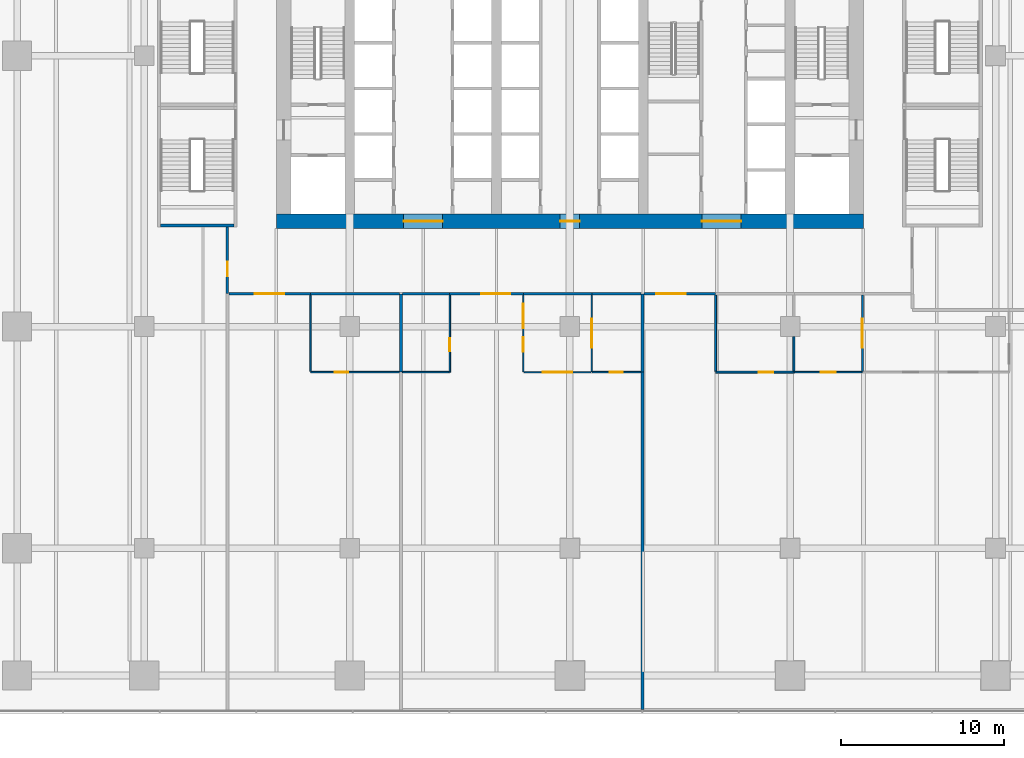
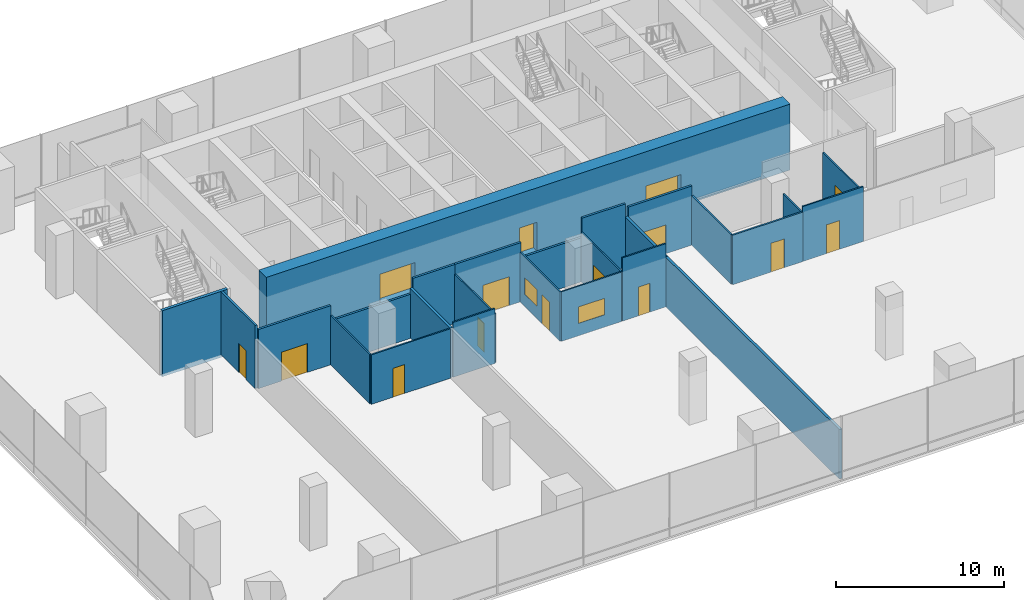
# One storey, part 19 of 29: 26 walls, 13 doors, 4 windows, 17 openings.
"""IFC4 building model written with IfcOpenShell, lengths in metres."""

from ifc_helpers import new_model, si_unit, direction, frame, frame_2d, origin, place, context, subcontext, project, spatial, rectangle, extrude, material, layer, layer_set, type_object, element, fill, save


model = new_model("IFC4")

# Units and contexts
model_context = context("Model", 3, precision=1e-05, world=origin(), true_north=direction((0.0, 1.0)))
body_context = subcontext(model_context, "Body", "Model", "MODEL_VIEW")
ifc_project = project(units=[si_unit("LENGTHUNIT", "METRE"), si_unit("AREAUNIT", "SQUARE_METRE"), si_unit("VOLUMEUNIT", "CUBIC_METRE"), si_unit("PLANEANGLEUNIT", "RADIAN"), si_unit("MASSUNIT", "GRAM", prefix="KILO")], contexts=[model_context])

# Site, building, storey
site_placement = place(None, origin())
site = spatial("IfcSite", under=ifc_project, at=site_placement, CompositionType="ELEMENT")
building_placement = place(site_placement, origin())
building = spatial("IfcBuilding", under=site, at=building_placement, Name="Rattan Terrace Tower", CompositionType="ELEMENT")
storey_placement = place(building_placement, frame((0.0, 0.0, 12.60009765625)))
storey = spatial("IfcBuildingStorey", under=building, at=storey_placement, Name="L02", CompositionType="ELEMENT", Elevation=12.60009765625)

# Wall, openings, doors
ifc_material_1 = material(Name="Concrete C70/85", Category="concrete")
ifc_layer_1 = layer(ifc_material_1, 0.89990234375)
ifc_layer_set_1 = layer_set([ifc_layer_1], Name="Core ring wall 900 C70/85")
wall_type_1 = type_object("IfcWallType", Name="Core ring wall 900 C70/85", PredefinedType="SHEAR", material=ifc_layer_set_1)
wall_1_placement = place(storey_placement, frame((-18.0, -7.050048828125, -0.2001953125), z_axis=(0.0, 0.0, 1.0), x_axis=(1.0, 0.0, 0.0)))
wall_1 = element("IfcWall", 1, at=wall_1_placement, inside=storey, type_object=wall_type_1, Name="Rear core wall south", PredefinedType="SHEAR", context=body_context, shape_type="SweptSolid", body=[
    extrude(rectangle(XDim=36.0, YDim=0.89990234375, at=frame_2d((18.0, 0.0))), origin(), (0.0, 0.0, 1.0), 4.800048828125),
])
opening_1_placement = place(wall_1_placement, frame((7.800048828125, 0.0, 0.199951171875)))
opening_1 = element("IfcOpeningElement", 2, at=opening_1_placement, cuts=wall_1, Name="Opening L02-D007", PredefinedType="OPENING", context=body_context, shape_type="SweptSolid", body=[
    extrude(rectangle(XDim=2.39990234375, YDim=2.10009765625, at=frame_2d((1.199951171875, 1.050048828125))), frame((0.0, 0.46044921875, 0.0), z_axis=(0.0, -1.0, 0.0), x_axis=(1.0, 0.0, 0.0)), (0.0, 0.0, 1.0), 0.9208984375),
])
opening_2_placement = place(wall_1_placement, frame((17.39990234375, 0.0, 0.199951171875)))
opening_2 = element("IfcOpeningElement", 3, at=opening_2_placement, cuts=wall_1, Name="Opening L02-D010", PredefinedType="OPENING", context=body_context, shape_type="SweptSolid", body=[
    extrude(rectangle(XDim=1.199951171875, YDim=2.10009765625, at=frame_2d((0.60009765625, 1.050048828125))), frame((0.0, 0.46044921875, 0.0), z_axis=(0.0, -1.0, 0.0), x_axis=(1.0, 0.0, 0.0)), (0.0, 0.0, 1.0), 0.9208984375),
])
opening_3_placement = place(wall_1_placement, frame((26.10009765625, 0.0, 0.199951171875)))
opening_3 = element("IfcOpeningElement", 4, at=opening_3_placement, cuts=wall_1, Name="Opening L02-D014", PredefinedType="OPENING", context=body_context, shape_type="SweptSolid", body=[
    extrude(rectangle(XDim=2.39990234375, YDim=2.10009765625, at=frame_2d((1.199951171875, 1.050048828125))), frame((0.0, 0.46044921875, 0.0), z_axis=(0.0, -1.0, 0.0), x_axis=(1.0, 0.0, 0.0)), (0.0, 0.0, 1.0), 0.9208984375),
])
ifc_material_2 = material(Name="Hollow-metal fire door leaf")
door_type_1 = type_object("IfcDoorType", Name="Core lift lobby door 2400", OperationType="NOTDEFINED", PredefinedType="DOOR", material=ifc_material_2)
door_1_placement = place(opening_1_placement, origin())
door_1 = element("IfcDoor", 5, at=door_1_placement, inside=storey, type_object=door_type_1, Name="Door L02-D007", OperationType="DOUBLE_DOOR_DOUBLE_SWING", OverallHeight=2.10009765625, OverallWidth=2.39990234375, PredefinedType="DOOR", context=body_context, shape_type="SweptSolid", body=[
    extrude(rectangle(XDim=2.39990234375, YDim=2.10009765625, at=frame_2d((1.199951171875, 1.050048828125))), frame((0.0, 0.02490234375, 0.0), z_axis=(0.0, -1.0, 0.0), x_axis=(1.0, 0.0, 0.0)), (0.0, 0.0, 1.0), 0.050048828125),
])
fill(opening_1, door_1)
door_2_placement = place(opening_3_placement, origin())
door_2 = element("IfcDoor", 6, at=door_2_placement, inside=storey, type_object=door_type_1, Name="Door L02-D014", OperationType="DOUBLE_DOOR_DOUBLE_SWING", OverallHeight=2.10009765625, OverallWidth=2.39990234375, PredefinedType="DOOR", context=body_context, shape_type="SweptSolid", body=[
    extrude(rectangle(XDim=2.39990234375, YDim=2.10009765625, at=frame_2d((1.199951171875, 1.050048828125))), frame((0.0, 0.02490234375, 0.0), z_axis=(0.0, -1.0, 0.0), x_axis=(1.0, 0.0, 0.0)), (0.0, 0.0, 1.0), 0.050048828125),
])
fill(opening_3, door_2)
ifc_material_3 = material(Name="Hollow-metal fire door leaf")
door_type_2 = type_object("IfcDoorType", Name="Core riser door 1200", OperationType="NOTDEFINED", PredefinedType="DOOR", material=ifc_material_3)
door_3_placement = place(opening_2_placement, origin())
door_3 = element("IfcDoor", 7, at=door_3_placement, inside=storey, type_object=door_type_2, Name="Door L02-D010", OperationType="SINGLE_SWING_LEFT", OverallHeight=2.10009765625, OverallWidth=1.199951171875, PredefinedType="DOOR", context=body_context, shape_type="SweptSolid", body=[
    extrude(rectangle(XDim=1.199951171875, YDim=2.10009765625, at=frame_2d((0.60009765625, 1.050048828125))), frame((0.0, 0.02490234375, 0.0), z_axis=(0.0, -1.0, 0.0), x_axis=(1.0, 0.0, 0.0)), (0.0, 0.0, 1.0), 0.050048828125),
])
fill(opening_2, door_3)

# Walls
ifc_material_4 = material(Name="Double steel stud acoustic partition, gypsum board, mineral wool, fire rated", Category="steel")
ifc_layer_2 = layer(ifc_material_4, 0.179931640625)
ifc_layer_set_2 = layer_set([ifc_layer_2], Name="Floors Acoustic Party Wall 180")
wall_type_2 = type_object("IfcWallType", Name="Floors Acoustic Party Wall 180", PredefinedType="PARTITIONING", material=ifc_layer_set_2)
wall_2_placement = place(storey_placement, frame((-10.360107421875, -11.5, 0.0), z_axis=(0.0, 0.0, 1.0), x_axis=(0.0, -1.0, 0.0)))
element("IfcWall", 8, at=wall_2_placement, inside=storey, type_object=wall_type_2, Name="pt-L02-021", PredefinedType="PARTITIONING", context=body_context, shape_type="SweptSolid", body=[
    extrude(rectangle(XDim=4.800048828125, YDim=0.179931640625, at=frame_2d((2.39990234375, 0.0))), origin(), (0.0, 0.0, 1.0), 3.599853515625),
])
wall_3_placement = place(storey_placement, frame((4.43994140625, -16.300048828125, 0.0), z_axis=(0.0, 0.0, 1.0), x_axis=(0.0, -1.0, 0.0)))
element("IfcWall", 9, at=wall_3_placement, inside=storey, type_object=wall_type_2, Name="pt-L02-027", PredefinedType="PARTITIONING", context=body_context, shape_type="SweptSolid", body=[
    extrude(rectangle(XDim=20.68994140625, YDim=0.179931640625, at=frame_2d((10.344970703125, 0.0))), origin(), (0.0, 0.0, 1.0), 3.599853515625),
])
wall_4_placement = place(storey_placement, frame((4.43994140625, -11.5, 0.0), z_axis=(0.0, 0.0, 1.0), x_axis=(0.0, -1.0, 0.0)))
element("IfcWall", 10, at=wall_4_placement, inside=storey, type_object=wall_type_2, Name="pt-L02-029", PredefinedType="PARTITIONING", context=body_context, shape_type="SweptSolid", body=[
    extrude(rectangle(XDim=4.800048828125, YDim=0.179931640625, at=frame_2d((2.39990234375, 0.0))), origin(), (0.0, 0.0, 1.0), 3.599853515625),
])
ifc_material_5 = material(Name="Gypsum board partition on steel studs", Category="steel")
ifc_layer_3 = layer(ifc_material_5, 0.10009765625)
ifc_layer_set_3 = layer_set([ifc_layer_3], Name="Floors Partition 100")
wall_type_3 = type_object("IfcWallType", Name="Floors Partition 100", PredefinedType="PARTITIONING", material=ifc_layer_set_3)
wall_5_placement = place(storey_placement, frame((-15.89990234375, -11.574951171875, 0.0), z_axis=(0.0, 0.0, 1.0), x_axis=(0.0, -1.0, 0.0)))
element("IfcWall", 11, at=wall_5_placement, inside=storey, type_object=wall_type_3, Name="pt-L02-018", PredefinedType="PARTITIONING", context=body_context, shape_type="SweptSolid", body=[
    extrude(rectangle(XDim=4.675048828125, YDim=0.10009765625, at=frame_2d((2.33740234375, 0.0))), origin(), (0.0, 0.0, 1.0), 3.599853515625),
])

# Wall, opening, door
wall_6_placement = place(storey_placement, frame((-15.89990234375, -16.300048828125, 0.0), z_axis=(0.0, 0.0, 1.0), x_axis=(1.0, 0.0, 0.0)))
wall_6 = element("IfcWall", 12, at=wall_6_placement, inside=storey, type_object=wall_type_3, Name="pt-L02-019", PredefinedType="PARTITIONING", context=body_context, shape_type="SweptSolid", body=[
    extrude(rectangle(XDim=5.449951171875, YDim=0.10009765625, at=frame_2d((2.72509765625, 0.0))), origin(), (0.0, 0.0, 1.0), 3.599853515625),
])
opening_4_placement = place(wall_6_placement, frame((1.4951171875, 0.0, 0.0)))
opening_4 = element("IfcOpeningElement", 13, at=opening_4_placement, cuts=wall_6, Name="Opening L02-D102", PredefinedType="OPENING", context=body_context, shape_type="SweptSolid", body=[
    extrude(rectangle(XDim=0.800048828125, YDim=2.10009765625, at=frame_2d((0.39990234375, 1.050048828125))), frame((0.0, 0.060546875, 0.0), z_axis=(0.0, -1.0, 0.0), x_axis=(1.0, 0.0, 0.0)), (0.0, 0.0, 1.0), 0.12109375),
])
ifc_material_6 = material(Name="Solid core timber door, painted", Category="wood")
door_type_3 = type_object("IfcDoorType", Name="Floors Store Door 800x2100", OperationType="NOTDEFINED", PredefinedType="DOOR", material=ifc_material_6)
door_4_placement = place(opening_4_placement, origin())
door_4 = element("IfcDoor", 14, at=door_4_placement, inside=storey, type_object=door_type_3, Name="d-L02-102", OperationType="SINGLE_SWING_LEFT", OverallHeight=2.10009765625, OverallWidth=0.800048828125, PredefinedType="DOOR", context=body_context, shape_type="SweptSolid", body=[
    extrude(rectangle(XDim=0.800048828125, YDim=2.10009765625, at=frame_2d((0.39990234375, 1.050048828125))), frame((0.0, 0.02490234375, 0.0), z_axis=(0.0, -1.0, 0.0), x_axis=(1.0, 0.0, 0.0)), (0.0, 0.0, 1.0), 0.050048828125),
])
fill(opening_4, door_4)

# Wall
wall_7_placement = place(storey_placement, frame((-10.27001953125, -16.300048828125, 0.0), z_axis=(0.0, 0.0, 1.0), x_axis=(1.0, 0.0, 0.0)))
element("IfcWall", 15, at=wall_7_placement, inside=storey, type_object=wall_type_3, Name="pt-L02-022", PredefinedType="PARTITIONING", context=body_context, shape_type="SweptSolid", body=[
    extrude(rectangle(XDim=2.860107421875, YDim=0.10009765625, at=frame_2d((1.43017578125, 0.0))), origin(), (0.0, 0.0, 1.0), 3.989990234375),
])

# Wall, opening, door
wall_8_placement = place(storey_placement, frame((-7.360107421875, -16.300048828125, 0.0), z_axis=(0.0, 0.0, 1.0), x_axis=(0.0, 1.0, 0.0)))
wall_8 = element("IfcWall", 16, at=wall_8_placement, inside=storey, type_object=wall_type_3, Name="pt-L02-023", PredefinedType="PARTITIONING", context=body_context, shape_type="SweptSolid", body=[
    extrude(rectangle(XDim=4.72509765625, YDim=0.10009765625, at=frame_2d((2.362548828125, 0.0))), origin(), (0.0, 0.0, 1.0), 3.599853515625),
])
opening_5_placement = place(wall_8_placement, frame((1.278076171875, 0.0, 0.0)))
opening_5 = element("IfcOpeningElement", 17, at=opening_5_placement, cuts=wall_8, Name="Opening L02-D104", PredefinedType="OPENING", context=body_context, shape_type="SweptSolid", body=[
    extrude(rectangle(XDim=0.800048828125, YDim=2.10009765625, at=frame_2d((0.39990234375, 1.050048828125))), frame((0.0, 0.060546875, 0.0), z_axis=(0.0, -1.0, 0.0), x_axis=(1.0, 0.0, 0.0)), (0.0, 0.0, 1.0), 0.12109375),
])
door_5_placement = place(opening_5_placement, origin())
door_5 = element("IfcDoor", 18, at=door_5_placement, inside=storey, type_object=door_type_3, Name="d-L02-104", OperationType="SINGLE_SWING_LEFT", OverallHeight=2.10009765625, OverallWidth=0.800048828125, PredefinedType="DOOR", context=body_context, shape_type="SweptSolid", body=[
    extrude(rectangle(XDim=0.800048828125, YDim=2.10009765625, at=frame_2d((0.39990234375, 1.050048828125))), frame((0.0, 0.02490234375, 0.0), z_axis=(0.0, -1.0, 0.0), x_axis=(1.0, 0.0, 0.0)), (0.0, 0.0, 1.0), 0.050048828125),
])
fill(opening_5, door_5)

# Wall, openings, door, window
wall_9_placement = place(storey_placement, frame((-2.860107421875, -11.574951171875, 0.0), z_axis=(0.0, 0.0, 1.0), x_axis=(0.0, -1.0, 0.0)))
wall_9 = element("IfcWall", 19, at=wall_9_placement, inside=storey, type_object=wall_type_3, Name="pt-L02-024", PredefinedType="PARTITIONING", context=body_context, shape_type="SweptSolid", body=[
    extrude(rectangle(XDim=4.72509765625, YDim=0.10009765625, at=frame_2d((2.362548828125, 0.0))), origin(), (0.0, 0.0, 1.0), 3.599853515625),
])
opening_6_placement = place(wall_9_placement, frame((2.577880859375, 0.0, 0.0)))
opening_6 = element("IfcOpeningElement", 20, at=opening_6_placement, cuts=wall_9, Name="Opening L02-D105", PredefinedType="OPENING", context=body_context, shape_type="SweptSolid", body=[
    extrude(rectangle(XDim=0.89990234375, YDim=2.10009765625, at=frame_2d((0.449951171875, 1.050048828125))), frame((0.0, 0.060546875, 0.0), z_axis=(0.0, -1.0, 0.0), x_axis=(1.0, 0.0, 0.0)), (0.0, 0.0, 1.0), 0.12109375),
])
opening_7_placement = place(wall_9_placement, frame((0.5390625, 0.0, 0.89990234375)))
opening_7 = element("IfcOpeningElement", 21, at=opening_7_placement, cuts=wall_9, Name="Opening L02-W100", PredefinedType="OPENING", context=body_context, shape_type="SweptSolid", body=[
    extrude(rectangle(XDim=1.5, YDim=1.199951171875, at=frame_2d((0.75, 0.60009765625))), frame((0.0, 0.060546875, 0.0), z_axis=(0.0, -1.0, 0.0), x_axis=(1.0, 0.0, 0.0)), (0.0, 0.0, 1.0), 0.12109375),
])
ifc_material_7 = material(Name="Solid core timber door, painted", Category="wood")
door_type_4 = type_object("IfcDoorType", Name="Floors Door 900x2100", OperationType="NOTDEFINED", PredefinedType="DOOR", material=ifc_material_7)
door_6_placement = place(opening_6_placement, origin())
door_6 = element("IfcDoor", 22, at=door_6_placement, inside=storey, type_object=door_type_4, Name="d-L02-105", OperationType="SINGLE_SWING_RIGHT", OverallHeight=2.10009765625, OverallWidth=0.89990234375, PredefinedType="DOOR", context=body_context, shape_type="SweptSolid", body=[
    extrude(rectangle(XDim=0.89990234375, YDim=2.10009765625, at=frame_2d((0.449951171875, 1.050048828125))), frame((0.0, 0.02490234375, 0.0), z_axis=(0.0, -1.0, 0.0), x_axis=(1.0, 0.0, 0.0)), (0.0, 0.0, 1.0), 0.050048828125),
])
fill(opening_6, door_6)
ifc_material_8 = material(Name="Glass, clear, fixed in aluminium frame", Category="aluminium")
window_type_1 = type_object("IfcWindowType", Name="Interior Vision Window 1500x1200", PartitioningType="SINGLE_PANEL", PredefinedType="WINDOW", material=ifc_material_8)
window_1_placement = place(opening_7_placement, origin())
window_1 = element("IfcWindow", 23, at=window_1_placement, inside=storey, type_object=window_type_1, Name="w-L02-100", OverallHeight=1.199951171875, OverallWidth=1.5, PartitioningType="SINGLE_PANEL", PredefinedType="WINDOW", context=body_context, shape_type="SweptSolid", body=[
    extrude(rectangle(XDim=1.5, YDim=1.199951171875, at=frame_2d((0.75, 0.60009765625))), frame((0.0, 0.030029296875, 0.0), z_axis=(0.0, -1.0, 0.0), x_axis=(1.0, 0.0, 0.0)), (0.0, 0.0, 1.0), 0.06005859375),
])
fill(opening_7, window_1)

# Wall, opening, window
wall_10_placement = place(storey_placement, frame((-2.81005859375, -16.300048828125, 0.0), z_axis=(0.0, 0.0, 1.0), x_axis=(1.0, 0.0, 0.0)))
wall_10 = element("IfcWall", 24, at=wall_10_placement, inside=storey, type_object=wall_type_3, Name="pt-L02-025", PredefinedType="PARTITIONING", context=body_context, shape_type="SweptSolid", body=[
    extrude(rectangle(XDim=4.10009765625, YDim=0.10009765625, at=frame_2d((2.050048828125, 0.0))), origin(), (0.0, 0.0, 1.0), 3.599853515625),
])
opening_8_placement = place(wall_10_placement, frame((1.14990234375, 0.0, 0.89990234375)))
opening_8 = element("IfcOpeningElement", 25, at=opening_8_placement, cuts=wall_10, Name="Opening L02-W101", PredefinedType="OPENING", context=body_context, shape_type="SweptSolid", body=[
    extrude(rectangle(XDim=1.800048828125, YDim=1.199951171875, at=frame_2d((0.89990234375, 0.60009765625))), frame((0.0, 0.060546875, 0.0), z_axis=(0.0, -1.0, 0.0), x_axis=(1.0, 0.0, 0.0)), (0.0, 0.0, 1.0), 0.12109375),
])
ifc_material_9 = material(Name="Glass, clear, fixed in aluminium frame", Category="aluminium")
window_type_2 = type_object("IfcWindowType", Name="Interior Vision Window 1800x1200", PartitioningType="SINGLE_PANEL", PredefinedType="WINDOW", material=ifc_material_9)
window_2_placement = place(opening_8_placement, origin())
window_2 = element("IfcWindow", 26, at=window_2_placement, inside=storey, type_object=window_type_2, Name="w-L02-101", OverallHeight=1.199951171875, OverallWidth=1.800048828125, PartitioningType="SINGLE_PANEL", PredefinedType="WINDOW", context=body_context, shape_type="SweptSolid", body=[
    extrude(rectangle(XDim=1.800048828125, YDim=1.199951171875, at=frame_2d((0.89990234375, 0.60009765625))), frame((0.0, 0.030029296875, 0.0), z_axis=(0.0, -1.0, 0.0), x_axis=(1.0, 0.0, 0.0)), (0.0, 0.0, 1.0), 0.06005859375),
])
fill(opening_8, window_2)

# Wall, opening, door
wall_11_placement = place(storey_placement, frame((1.360107421875, -16.300048828125, 0.0), z_axis=(0.0, 0.0, 1.0), x_axis=(1.0, 0.0, 0.0)))
wall_11 = element("IfcWall", 27, at=wall_11_placement, inside=storey, type_object=wall_type_3, Name="pt-L02-026", PredefinedType="PARTITIONING", context=body_context, shape_type="SweptSolid", body=[
    extrude(rectangle(XDim=2.989990234375, YDim=0.10009765625, at=frame_2d((1.4951171875, 0.0))), origin(), (0.0, 0.0, 1.0), 4.599853515625),
])
opening_9_placement = place(wall_11_placement, frame((1.094970703125, 0.0, 0.0)))
opening_9 = element("IfcOpeningElement", 28, at=opening_9_placement, cuts=wall_11, Name="Opening L02-D106", PredefinedType="OPENING", context=body_context, shape_type="SweptSolid", body=[
    extrude(rectangle(XDim=0.800048828125, YDim=2.10009765625, at=frame_2d((0.39990234375, 1.050048828125))), frame((0.0, 0.060546875, 0.0), z_axis=(0.0, -1.0, 0.0), x_axis=(1.0, 0.0, 0.0)), (0.0, 0.0, 1.0), 0.12109375),
])
door_7_placement = place(opening_9_placement, origin())
door_7 = element("IfcDoor", 29, at=door_7_placement, inside=storey, type_object=door_type_3, Name="d-L02-106", OperationType="SINGLE_SWING_LEFT", OverallHeight=2.10009765625, OverallWidth=0.800048828125, PredefinedType="DOOR", context=body_context, shape_type="SweptSolid", body=[
    extrude(rectangle(XDim=0.800048828125, YDim=2.10009765625, at=frame_2d((0.39990234375, 1.050048828125))), frame((0.0, 0.02490234375, 0.0), z_axis=(0.0, -1.0, 0.0), x_axis=(1.0, 0.0, 0.0)), (0.0, 0.0, 1.0), 0.050048828125),
])
fill(opening_9, door_7)

# Wall, opening, window
wall_12_placement = place(storey_placement, frame((1.340087890625, -11.574951171875, 0.0), z_axis=(0.0, 0.0, 1.0), x_axis=(0.0, -1.0, 0.0)))
wall_12 = element("IfcWall", 30, at=wall_12_placement, inside=storey, type_object=wall_type_3, Name="pt-L02-028", PredefinedType="PARTITIONING", context=body_context, shape_type="SweptSolid", body=[
    extrude(rectangle(XDim=4.72509765625, YDim=0.10009765625, at=frame_2d((2.362548828125, 0.0))), origin(), (0.0, 0.0, 1.0), 3.599853515625),
])
opening_10_placement = place(wall_12_placement, frame((1.43798828125, 0.0, 0.89990234375)))
opening_10 = element("IfcOpeningElement", 31, at=opening_10_placement, cuts=wall_12, Name="Opening L02-W102", PredefinedType="OPENING", context=body_context, shape_type="SweptSolid", body=[
    extrude(rectangle(XDim=1.800048828125, YDim=1.199951171875, at=frame_2d((0.89990234375, 0.60009765625))), frame((0.0, 0.060546875, 0.0), z_axis=(0.0, -1.0, 0.0), x_axis=(1.0, 0.0, 0.0)), (0.0, 0.0, 1.0), 0.12109375),
])
window_3_placement = place(opening_10_placement, origin())
window_3 = element("IfcWindow", 32, at=window_3_placement, inside=storey, type_object=window_type_2, Name="w-L02-102", OverallHeight=1.199951171875, OverallWidth=1.800048828125, PartitioningType="SINGLE_PANEL", PredefinedType="WINDOW", context=body_context, shape_type="SweptSolid", body=[
    extrude(rectangle(XDim=1.800048828125, YDim=1.199951171875, at=frame_2d((0.89990234375, 0.60009765625))), frame((0.0, 0.030029296875, 0.0), z_axis=(0.0, -1.0, 0.0), x_axis=(1.0, 0.0, 0.0)), (0.0, 0.0, 1.0), 0.06005859375),
])
fill(opening_10, window_3)

# Wall, opening, door
wall_13_placement = place(storey_placement, frame((13.760009765625, -16.300048828125, 0.0), z_axis=(0.0, 0.0, 1.0), x_axis=(1.0, 0.0, 0.0)))
wall_13 = element("IfcWall", 33, at=wall_13_placement, inside=storey, type_object=wall_type_3, Name="pt-L02-032", PredefinedType="PARTITIONING", context=body_context, shape_type="SweptSolid", body=[
    extrude(rectangle(XDim=4.159912109375, YDim=0.10009765625, at=frame_2d((2.080078125, 0.0))), origin(), (0.0, 0.0, 1.0), 3.989990234375),
])
opening_11_placement = place(wall_13_placement, frame((1.6298828125, 0.0, 0.0)))
opening_11 = element("IfcOpeningElement", 34, at=opening_11_placement, cuts=wall_13, Name="Opening L02-D109", PredefinedType="OPENING", context=body_context, shape_type="SweptSolid", body=[
    extrude(rectangle(XDim=0.89990234375, YDim=2.10009765625, at=frame_2d((0.449951171875, 1.050048828125))), frame((0.0, 0.060546875, 0.0), z_axis=(0.0, -1.0, 0.0), x_axis=(1.0, 0.0, 0.0)), (0.0, 0.0, 1.0), 0.12109375),
])
door_8_placement = place(opening_11_placement, origin())
door_8 = element("IfcDoor", 35, at=door_8_placement, inside=storey, type_object=door_type_4, Name="d-L02-109", OperationType="SINGLE_SWING_RIGHT", OverallHeight=2.10009765625, OverallWidth=0.89990234375, PredefinedType="DOOR", context=body_context, shape_type="SweptSolid", body=[
    extrude(rectangle(XDim=0.89990234375, YDim=2.10009765625, at=frame_2d((0.449951171875, 1.050048828125))), frame((0.0, 0.02490234375, 0.0), z_axis=(0.0, -1.0, 0.0), x_axis=(1.0, 0.0, 0.0)), (0.0, 0.0, 1.0), 0.050048828125),
])
fill(opening_11, door_8)

# Wall, opening, window
wall_14_placement = place(storey_placement, frame((17.93994140625, -11.574951171875, 0.0), z_axis=(0.0, 0.0, 1.0), x_axis=(0.0, -1.0, 0.0)))
wall_14 = element("IfcWall", 36, at=wall_14_placement, inside=storey, type_object=wall_type_3, Name="pt-L02-038", PredefinedType="PARTITIONING", context=body_context, shape_type="SweptSolid", body=[
    extrude(rectangle(XDim=4.675048828125, YDim=0.10009765625, at=frame_2d((2.33740234375, 0.0))), origin(), (0.0, 0.0, 1.0), 3.599853515625),
])
opening_12_placement = place(wall_14_placement, frame((1.43798828125, 0.0, 0.89990234375)))
opening_12 = element("IfcOpeningElement", 37, at=opening_12_placement, cuts=wall_14, Name="Opening L02-W105", PredefinedType="OPENING", context=body_context, shape_type="SweptSolid", body=[
    extrude(rectangle(XDim=1.800048828125, YDim=1.199951171875, at=frame_2d((0.89990234375, 0.60009765625))), frame((0.0, 0.060546875, 0.0), z_axis=(0.0, -1.0, 0.0), x_axis=(1.0, 0.0, 0.0)), (0.0, 0.0, 1.0), 0.12109375),
])
window_4_placement = place(opening_12_placement, origin())
window_4 = element("IfcWindow", 38, at=window_4_placement, inside=storey, type_object=window_type_2, Name="w-L02-105", OverallHeight=1.199951171875, OverallWidth=1.800048828125, PartitioningType="SINGLE_PANEL", PredefinedType="WINDOW", context=body_context, shape_type="SweptSolid", body=[
    extrude(rectangle(XDim=1.800048828125, YDim=1.199951171875, at=frame_2d((0.89990234375, 0.60009765625))), frame((0.0, 0.030029296875, 0.0), z_axis=(0.0, -1.0, 0.0), x_axis=(1.0, 0.0, 0.0)), (0.0, 0.0, 1.0), 0.06005859375),
])
fill(opening_12, window_4)

# Wall, opening, door
ifc_material_10 = material(Name="Gypsum board partition on steel studs, fire rated", Category="steel")
ifc_layer_4 = layer(ifc_material_10, 0.14990234375)
ifc_layer_set_4 = layer_set([ifc_layer_4], Name="Floors Tenancy Wall 150")
wall_type_4 = type_object("IfcWallType", Name="Floors Tenancy Wall 150", PredefinedType="PARTITIONING", material=ifc_layer_set_4)
wall_15_placement = place(storey_placement, frame((-21.0, -11.47998046875, 0.0), z_axis=(0.0, 0.0, 1.0), x_axis=(0.0, 1.0, 0.0)))
wall_15 = element("IfcWall", 39, at=wall_15_placement, inside=storey, type_object=wall_type_4, Name="pt-L02-001", PredefinedType="PARTITIONING", context=body_context, shape_type="SweptSolid", body=[
    extrude(rectangle(XDim=4.080078125, YDim=0.14990234375, at=frame_2d((2.0400390625, 0.0))), origin(), (0.0, 0.0, 1.0), 4.599853515625),
])
opening_13_placement = place(wall_15_placement, frame((1.053955078125, 0.0, 0.0)))
opening_13 = element("IfcOpeningElement", 40, at=opening_13_placement, cuts=wall_15, Name="Opening L02-D100", PredefinedType="OPENING", context=body_context, shape_type="SweptSolid", body=[
    extrude(rectangle(XDim=0.89990234375, YDim=2.10009765625, at=frame_2d((0.449951171875, 1.050048828125))), frame((0.0, 0.08544921875, 0.0), z_axis=(0.0, -1.0, 0.0), x_axis=(1.0, 0.0, 0.0)), (0.0, 0.0, 1.0), 0.1708984375),
])
ifc_material_11 = material(Name="Steel fire door set", Category="steel")
door_type_5 = type_object("IfcDoorType", Name="Floors Fire Door FD30S 900x2100", OperationType="NOTDEFINED", PredefinedType="DOOR", material=ifc_material_11)
door_9_placement = place(opening_13_placement, origin())
door_9 = element("IfcDoor", 41, at=door_9_placement, inside=storey, type_object=door_type_5, Name="d-L02-100", OperationType="SINGLE_SWING_LEFT", OverallHeight=2.10009765625, OverallWidth=0.89990234375, PredefinedType="DOOR", context=body_context, shape_type="SweptSolid", body=[
    extrude(rectangle(XDim=0.89990234375, YDim=2.10009765625, at=frame_2d((0.449951171875, 1.050048828125))), frame((0.0, 0.02490234375, 0.0), z_axis=(0.0, -1.0, 0.0), x_axis=(1.0, 0.0, 0.0)), (0.0, 0.0, 1.0), 0.050048828125),
])
fill(opening_13, door_9)

wall_16_placement = place(storey_placement, frame((-15.919921875, -11.5, 0.0), z_axis=(0.0, 0.0, 1.0), x_axis=(-1.0, 0.0, 0.0)))
wall_16 = element("IfcWall", 42, at=wall_16_placement, inside=storey, type_object=wall_type_4, Name="pt-L02-002", PredefinedType="PARTITIONING", context=body_context, shape_type="SweptSolid", body=[
    extrude(rectangle(XDim=4.989990234375, YDim=0.14990234375, at=frame_2d((2.4951171875, 0.0))), origin(), (0.0, 0.0, 1.0), 4.2998046875),
])
opening_14_placement = place(wall_16_placement, frame((1.594970703125, 0.0, 0.0)))
opening_14 = element("IfcOpeningElement", 43, at=opening_14_placement, cuts=wall_16, Name="Opening L02-D101", PredefinedType="OPENING", context=body_context, shape_type="SweptSolid", body=[
    extrude(rectangle(XDim=1.800048828125, YDim=2.10009765625, at=frame_2d((0.89990234375, 1.050048828125))), frame((0.0, 0.08544921875, 0.0), z_axis=(0.0, -1.0, 0.0), x_axis=(1.0, 0.0, 0.0)), (0.0, 0.0, 1.0), 0.1708984375),
])
ifc_material_12 = material(Name="Steel fire door set", Category="steel")
door_type_6 = type_object("IfcDoorType", Name="Floors Fire Door Pair FD30S 1800x2100", OperationType="NOTDEFINED", PredefinedType="DOOR", material=ifc_material_12)
door_10_placement = place(opening_14_placement, origin())
door_10 = element("IfcDoor", 44, at=door_10_placement, inside=storey, type_object=door_type_6, Name="d-L02-101", OperationType="DOUBLE_DOOR_SINGLE_SWING", OverallHeight=2.10009765625, OverallWidth=1.800048828125, PredefinedType="DOOR", context=body_context, shape_type="SweptSolid", body=[
    extrude(rectangle(XDim=1.800048828125, YDim=2.10009765625, at=frame_2d((0.89990234375, 1.050048828125))), frame((0.0, 0.02490234375, 0.0), z_axis=(0.0, -1.0, 0.0), x_axis=(1.0, 0.0, 0.0)), (0.0, 0.0, 1.0), 0.050048828125),
])
fill(opening_14, door_10)

# Wall
wall_17_placement = place(storey_placement, frame((-10.449951171875, -11.5, 0.0), z_axis=(0.0, 0.0, 1.0), x_axis=(-1.0, 0.0, 0.0)))
element("IfcWall", 45, at=wall_17_placement, inside=storey, type_object=wall_type_4, Name="pt-L02-003", PredefinedType="PARTITIONING", context=body_context, shape_type="SweptSolid", body=[
    extrude(rectangle(XDim=5.469970703125, YDim=0.14990234375, at=frame_2d((2.73486328125, 0.0))), origin(), (0.0, 0.0, 1.0), 3.199951171875),
])

# Wall, opening, door
wall_18_placement = place(storey_placement, frame((-2.840087890625, -11.5, 0.0), z_axis=(0.0, 0.0, 1.0), x_axis=(-1.0, 0.0, 0.0)))
wall_18 = element("IfcWall", 46, at=wall_18_placement, inside=storey, type_object=wall_type_4, Name="pt-L02-004", PredefinedType="PARTITIONING", context=body_context, shape_type="SweptSolid", body=[
    extrude(rectangle(XDim=4.539794921875, YDim=0.14990234375, at=frame_2d((2.27001953125, 0.0))), origin(), (0.0, 0.0, 1.0), 4.2998046875),
])
opening_15_placement = place(wall_18_placement, frame((0.81005859375, 0.0, 0.0)))
opening_15 = element("IfcOpeningElement", 47, at=opening_15_placement, cuts=wall_18, Name="Opening L02-D103", PredefinedType="OPENING", context=body_context, shape_type="SweptSolid", body=[
    extrude(rectangle(XDim=1.800048828125, YDim=2.10009765625, at=frame_2d((0.89990234375, 1.050048828125))), frame((0.0, 0.08544921875, 0.0), z_axis=(0.0, -1.0, 0.0), x_axis=(1.0, 0.0, 0.0)), (0.0, 0.0, 1.0), 0.1708984375),
])
door_11_placement = place(opening_15_placement, origin())
door_11 = element("IfcDoor", 48, at=door_11_placement, inside=storey, type_object=door_type_6, Name="d-L02-103", OperationType="DOUBLE_DOOR_SINGLE_SWING", OverallHeight=2.10009765625, OverallWidth=1.800048828125, PredefinedType="DOOR", context=body_context, shape_type="SweptSolid", body=[
    extrude(rectangle(XDim=1.800048828125, YDim=2.10009765625, at=frame_2d((0.89990234375, 1.050048828125))), frame((0.0, 0.02490234375, 0.0), z_axis=(0.0, -1.0, 0.0), x_axis=(1.0, 0.0, 0.0)), (0.0, 0.0, 1.0), 0.050048828125),
])
fill(opening_15, door_11)

# Walls
wall_19_placement = place(storey_placement, frame((-7.3798828125, -11.5, 0.0), z_axis=(0.0, 0.0, 1.0), x_axis=(-1.0, 0.0, 0.0)))
element("IfcWall", 49, at=wall_19_placement, inside=storey, type_object=wall_type_4, Name="pt-L02-005", PredefinedType="PARTITIONING", context=body_context, shape_type="SweptSolid", body=[
    extrude(rectangle(XDim=2.89013671875, YDim=0.14990234375, at=frame_2d((1.445068359375, 0.0))), origin(), (0.0, 0.0, 1.0), 4.2998046875),
])
wall_20_placement = place(storey_placement, frame((1.360107421875, -11.5, 0.0), z_axis=(0.0, 0.0, 1.0), x_axis=(-1.0, 0.0, 0.0)))
element("IfcWall", 50, at=wall_20_placement, inside=storey, type_object=wall_type_4, Name="pt-L02-006", PredefinedType="PARTITIONING", context=body_context, shape_type="SweptSolid", body=[
    extrude(rectangle(XDim=4.2001953125, YDim=0.14990234375, at=frame_2d((2.10009765625, 0.0))), origin(), (0.0, 0.0, 1.0), 3.199951171875),
])
wall_21_placement = place(storey_placement, frame((4.35009765625, -11.5, 0.0), z_axis=(0.0, 0.0, 1.0), x_axis=(-1.0, 0.0, 0.0)))
element("IfcWall", 51, at=wall_21_placement, inside=storey, type_object=wall_type_4, Name="pt-L02-007", PredefinedType="PARTITIONING", context=body_context, shape_type="SweptSolid", body=[
    extrude(rectangle(XDim=2.989990234375, YDim=0.14990234375, at=frame_2d((1.4951171875, 0.0))), origin(), (0.0, 0.0, 1.0), 4.599853515625),
])

# Wall, opening, door
wall_22_placement = place(storey_placement, frame((8.919921875, -11.5, 0.0), z_axis=(0.0, 0.0, 1.0), x_axis=(-1.0, 0.0, 0.0)))
wall_22 = element("IfcWall", 52, at=wall_22_placement, inside=storey, type_object=wall_type_4, Name="pt-L02-008", PredefinedType="PARTITIONING", context=body_context, shape_type="SweptSolid", body=[
    extrude(rectangle(XDim=4.389892578125, YDim=0.14990234375, at=frame_2d((2.19482421875, 0.0))), origin(), (0.0, 0.0, 1.0), 4.2998046875),
])
opening_16_placement = place(wall_22_placement, frame((1.81689453125, 0.0, 0.0)))
opening_16 = element("IfcOpeningElement", 53, at=opening_16_placement, cuts=wall_22, Name="Opening L02-D107", PredefinedType="OPENING", context=body_context, shape_type="SweptSolid", body=[
    extrude(rectangle(XDim=1.800048828125, YDim=2.10009765625, at=frame_2d((0.89990234375, 1.050048828125))), frame((0.0, 0.08544921875, 0.0), z_axis=(0.0, -1.0, 0.0), x_axis=(1.0, 0.0, 0.0)), (0.0, 0.0, 1.0), 0.1708984375),
])
door_12_placement = place(opening_16_placement, origin())
door_12 = element("IfcDoor", 54, at=door_12_placement, inside=storey, type_object=door_type_6, Name="d-L02-107", OperationType="DOUBLE_DOOR_SINGLE_SWING", OverallHeight=2.10009765625, OverallWidth=1.800048828125, PredefinedType="DOOR", context=body_context, shape_type="SweptSolid", body=[
    extrude(rectangle(XDim=1.800048828125, YDim=2.10009765625, at=frame_2d((0.89990234375, 1.050048828125))), frame((0.0, 0.02490234375, 0.0), z_axis=(0.0, -1.0, 0.0), x_axis=(1.0, 0.0, 0.0)), (0.0, 0.0, 1.0), 0.050048828125),
])
fill(opening_16, door_12)

# Wall
ifc_material_13 = material(Name="Moisture resistant gypsum board partition on steel studs with service cavity", Category="steel")
ifc_layer_5 = layer(ifc_material_13, 0.1201171875)
ifc_layer_set_5 = layer_set([ifc_layer_5], Name="Floors Wet Wall 120")
wall_type_5 = type_object("IfcWallType", Name="Floors Wet Wall 120", PredefinedType="PARTITIONING", material=ifc_layer_set_5)
wall_23_placement = place(storey_placement, frame((8.93994140625, -11.574951171875, 0.0), z_axis=(0.0, 0.0, 1.0), x_axis=(0.0, -1.0, 0.0)))
element("IfcWall", 55, at=wall_23_placement, inside=storey, type_object=wall_type_5, Name="pt-L02-030", PredefinedType="PARTITIONING", context=body_context, shape_type="SweptSolid", body=[
    extrude(rectangle(XDim=4.6650390625, YDim=0.1201171875, at=frame_2d((2.33251953125, 0.0))), origin(), (0.0, 0.0, 1.0), 3.599853515625),
])

# Wall, opening, door
wall_24_placement = place(storey_placement, frame((8.93994140625, -16.300048828125, 0.0), z_axis=(0.0, 0.0, 1.0), x_axis=(1.0, 0.0, 0.0)))
wall_24 = element("IfcWall", 56, at=wall_24_placement, inside=storey, type_object=wall_type_5, Name="pt-L02-031", PredefinedType="PARTITIONING", context=body_context, shape_type="SweptSolid", body=[
    extrude(rectangle(XDim=4.820068359375, YDim=0.1201171875, at=frame_2d((2.41015625, 0.0))), origin(), (0.0, 0.0, 1.0), 3.599853515625),
])
opening_17_placement = place(wall_24_placement, frame((2.64404296875, 0.0, 0.0)))
opening_17 = element("IfcOpeningElement", 57, at=opening_17_placement, cuts=wall_24, Name="Opening L02-D108", PredefinedType="OPENING", context=body_context, shape_type="SweptSolid", body=[
    extrude(rectangle(XDim=0.89990234375, YDim=2.10009765625, at=frame_2d((0.449951171875, 1.050048828125))), frame((0.0, 0.070556640625, 0.0), z_axis=(0.0, -1.0, 0.0), x_axis=(1.0, 0.0, 0.0)), (0.0, 0.0, 1.0), 0.14111328125),
])
door_13_placement = place(opening_17_placement, origin())
door_13 = element("IfcDoor", 58, at=door_13_placement, inside=storey, type_object=door_type_4, Name="d-L02-108", OperationType="SINGLE_SWING_RIGHT", OverallHeight=2.10009765625, OverallWidth=0.89990234375, PredefinedType="DOOR", context=body_context, shape_type="SweptSolid", body=[
    extrude(rectangle(XDim=0.89990234375, YDim=2.10009765625, at=frame_2d((0.449951171875, 1.050048828125))), frame((0.0, 0.02490234375, 0.0), z_axis=(0.0, -1.0, 0.0), x_axis=(1.0, 0.0, 0.0)), (0.0, 0.0, 1.0), 0.050048828125),
])
fill(opening_17, door_13)

# Walls
wall_25_placement = place(storey_placement, frame((13.739990234375, -14.1201171875, 0.0), z_axis=(0.0, 0.0, 1.0), x_axis=(0.0, -1.0, 0.0)))
element("IfcWall", 59, at=wall_25_placement, inside=storey, type_object=wall_type_5, Name="pt-L02-037", PredefinedType="PARTITIONING", context=body_context, shape_type="SweptSolid", body=[
    extrude(rectangle(XDim=2.119873046875, YDim=0.1201171875, at=frame_2d((1.06005859375, 0.0))), origin(), (0.0, 0.0, 1.0), 3.599853515625),
])
ifc_material_14 = material(Name="Concrete C40/50", Category="concrete")
ifc_layer_6 = layer(ifc_material_14, 0.199951171875)
ifc_layer_set_6 = layer_set([ifc_layer_6], Name="Podium exit stair shaft wall 200")
wall_type_6 = type_object("IfcWallType", Name="Podium exit stair shaft wall 200", PredefinedType="SHEAR", material=ifc_layer_set_6)
wall_26_placement = place(storey_placement, frame((-25.10009765625, -7.300048828125, -0.2001953125), z_axis=(0.0, 0.0, 1.0), x_axis=(1.0, 0.0, 0.0)))
element("IfcWall", 60, at=wall_26_placement, inside=storey, type_object=wall_type_6, Name="L02 stair S4 shaft wall", PredefinedType="SHEAR", context=body_context, shape_type="SweptSolid", body=[
    extrude(rectangle(XDim=4.5, YDim=0.199951171875, at=frame_2d((2.25, 0.0))), origin(), (0.0, 0.0, 1.0), 4.800048828125),
])

save(model, "model.ifc")
